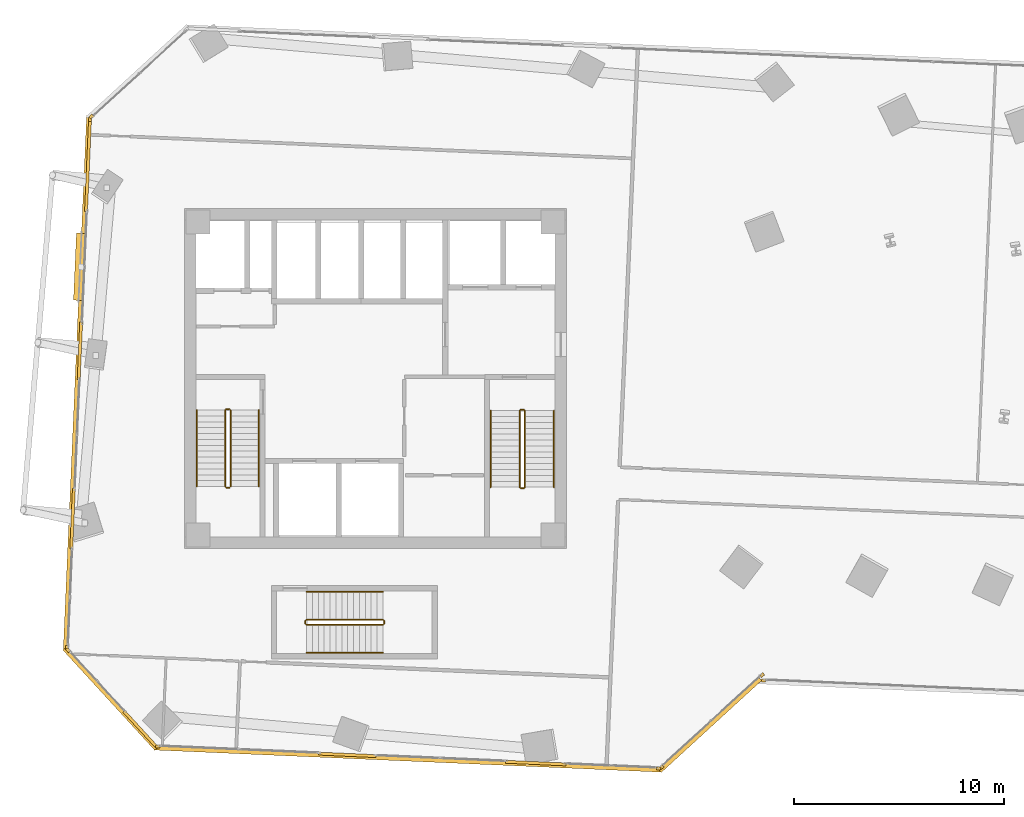
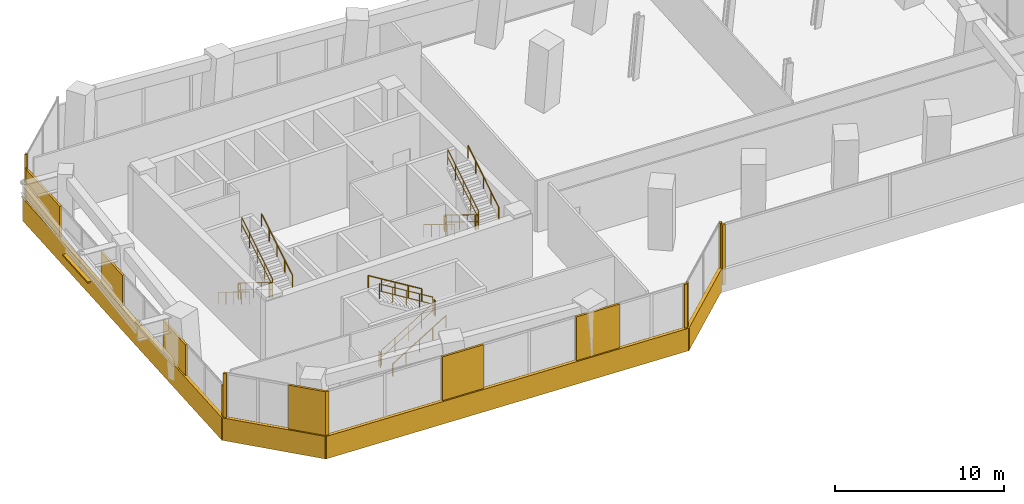
# One storey, part 24 of 26: 19 coverings, 18 railings, 1 shading device.
"""IFC4 building model written with IfcOpenShell, lengths in metres."""

from ifc_helpers import new_model, si_unit, direction, frame, origin, origin_2d, place, context, subcontext, project, spatial, rectangle, circle, extrude, source, transform, mapped, material, layer, layer_set, type_object, element, save


model = new_model("IFC4")

# Units and contexts
model_context = context("Model", 3, precision=1e-05, world=origin(), true_north=direction((0.0, 1.0)))
body_context = subcontext(model_context, "Body", "Model", "MODEL_VIEW")
ifc_project = project(units=[si_unit("LENGTHUNIT", "METRE"), si_unit("AREAUNIT", "SQUARE_METRE"), si_unit("VOLUMEUNIT", "CUBIC_METRE"), si_unit("PLANEANGLEUNIT", "RADIAN"), si_unit("MASSUNIT", "GRAM", prefix="KILO")], contexts=[model_context])

# Site, building, storey
site_placement = place(None, origin())
site = spatial("IfcSite", under=ifc_project, at=site_placement, CompositionType="ELEMENT")
building_placement = place(site_placement, origin())
building = spatial("IfcBuilding", under=site, at=building_placement, Name="Torre Montelarca", CompositionType="ELEMENT")
storey_placement = place(building_placement, frame((0.0, 0.0, 42.39990234375)))
storey = spatial("IfcBuildingStorey", under=building, at=storey_placement, Name="L09", CompositionType="ELEMENT", Elevation=42.39990234375)

# Railings
ifc_material_1 = material(Name="Powder-coated steel ASTM A500 Grade C", Category="steel")
railing_type_1 = type_object("IfcRailingType", Name="RL-GUARD-1100", PredefinedType="BALUSTRADE", material=ifc_material_1)
railing_1_placement = place(storey_placement, frame((10.85009765625, 30.5, 0.171630859375)))
element("IfcRailing", 1, at=railing_1_placement, inside=storey, type_object=railing_type_1, Name="L09 ST1 stair guard 1", PredefinedType="BALUSTRADE", context=body_context, shape_type="SweptSolid", body=[
    extrude(circle(Radius=0.02392578125, at=origin_2d()), frame((0.0, 0.0, 1.076171875), z_axis=(0.0, -0.852850264322, 0.5221555579), x_axis=(1.0, 0.0, 0.0)), (0.0, 0.0, 1.0), 4.267822265625),
    extrude(circle(Radius=0.02099609375, at=origin_2d()), frame((0.0, 0.0, 0.572021484375), z_axis=(0.0, -0.852850264322, 0.5221555579), x_axis=(1.0, 0.0, 0.0)), (0.0, 0.0, 1.0), 4.267822265625),
    extrude(circle(Radius=0.02099609375, at=origin_2d()), origin(), (0.0, 0.0, 1.0), 1.052001953125),
    extrude(circle(Radius=0.02099609375, at=origin_2d()), frame((0.0, -0.909912109375, 0.55712890625)), (0.0, 0.0, 1.0), 1.052001953125),
    extrude(circle(Radius=0.02099609375, at=origin_2d()), frame((0.0, -1.81982421875, 1.1142578125)), (0.0, 0.0, 1.0), 1.052001953125),
    extrude(circle(Radius=0.02099609375, at=origin_2d()), frame((0.0, -2.72998046875, 1.67138671875)), (0.0, 0.0, 1.0), 1.052001953125),
    extrude(circle(Radius=0.02099609375, at=origin_2d()), frame((0.0, -3.639892578125, 2.228515625)), (0.0, 0.0, 1.0), 1.052001953125),
])
railing_2_placement = place(storey_placement, frame((10.89990234375, 26.81005859375, 2.400146484375)))
element("IfcRailing", 2, at=railing_2_placement, inside=storey, type_object=railing_type_1, Name="L09 ST1 stair guard 2", PredefinedType="BALUSTRADE", context=body_context, shape_type="SweptSolid", body=[
    extrude(circle(Radius=0.02392578125, at=origin_2d()), frame((0.0, 0.0, 1.076171875), z_axis=(1.0, 0.0, 0.0), x_axis=(0.0, 1.0, 0.0)), (0.0, 0.0, 1.0), 0.150146484375),
    extrude(circle(Radius=0.02099609375, at=origin_2d()), frame((0.0, 0.0, 0.572021484375), z_axis=(1.0, 0.0, 0.0), x_axis=(0.0, 1.0, 0.0)), (0.0, 0.0, 1.0), 0.150146484375),
    extrude(circle(Radius=0.02099609375, at=origin_2d()), origin(), (0.0, 0.0, 1.0), 1.052001953125),
    extrude(circle(Radius=0.02099609375, at=origin_2d()), frame((0.150146484375, 0.0, 0.0)), (0.0, 0.0, 1.0), 1.052001953125),
])
railing_3_placement = place(storey_placement, frame((11.10009765625, 26.860107421875, 2.571533203125)))
element("IfcRailing", 3, at=railing_3_placement, inside=storey, type_object=railing_type_1, Name="L09 ST1 stair guard 3", PredefinedType="BALUSTRADE", context=body_context, shape_type="SweptSolid", body=[
    extrude(circle(Radius=0.02392578125, at=origin_2d()), frame((0.0, 0.0, 1.076171875), z_axis=(0.0, 0.852850264322, 0.5221555579), x_axis=(-1.0, 0.0, 0.0)), (0.0, 0.0, 1.0), 4.267822265625),
    extrude(circle(Radius=0.02099609375, at=origin_2d()), frame((0.0, 0.0, 0.572021484375), z_axis=(0.0, 0.852850264322, 0.5221555579), x_axis=(-1.0, 0.0, 0.0)), (0.0, 0.0, 1.0), 4.267822265625),
    extrude(circle(Radius=0.02099609375, at=origin_2d()), origin(), (0.0, 0.0, 1.0), 1.052001953125),
    extrude(circle(Radius=0.02099609375, at=origin_2d()), frame((0.0, 0.909912109375, 0.55712890625)), (0.0, 0.0, 1.0), 1.052001953125),
    extrude(circle(Radius=0.02099609375, at=origin_2d()), frame((0.0, 1.81982421875, 1.1142578125)), (0.0, 0.0, 1.0), 1.052001953125),
    extrude(circle(Radius=0.02099609375, at=origin_2d()), frame((0.0, 2.72998046875, 1.67138671875)), (0.0, 0.0, 1.0), 1.052001953125),
    extrude(circle(Radius=0.02099609375, at=origin_2d()), frame((0.0, 3.639892578125, 2.228515625)), (0.0, 0.0, 1.0), 1.052001953125),
])
railing_4_placement = place(storey_placement, frame((10.89990234375, 30.550048828125, 0.0)))
element("IfcRailing", 4, at=railing_4_placement, inside=storey, type_object=railing_type_1, Name="L09 ST1 stair guard 4", PredefinedType="BALUSTRADE", context=body_context, shape_type="SweptSolid", body=[
    extrude(circle(Radius=0.02392578125, at=origin_2d()), frame((0.0, 0.0, 1.076171875), z_axis=(1.0, 0.0, 0.0), x_axis=(0.0, 1.0, 0.0)), (0.0, 0.0, 1.0), 0.150146484375),
    extrude(circle(Radius=0.02099609375, at=origin_2d()), frame((0.0, 0.0, 0.572021484375), z_axis=(1.0, 0.0, 0.0), x_axis=(0.0, 1.0, 0.0)), (0.0, 0.0, 1.0), 0.150146484375),
    extrude(circle(Radius=0.02099609375, at=origin_2d()), origin(), (0.0, 0.0, 1.0), 1.052001953125),
    extrude(circle(Radius=0.02099609375, at=origin_2d()), frame((0.150146484375, 0.0, 0.0)), (0.0, 0.0, 1.0), 1.052001953125),
])
railing_5_placement = place(storey_placement, frame((24.8701171875, 30.469970703125, 0.171630859375)))
element("IfcRailing", 5, at=railing_5_placement, inside=storey, type_object=railing_type_1, Name="L09 ST2 stair guard 1", PredefinedType="BALUSTRADE", context=body_context, shape_type="SweptSolid", body=[
    extrude(circle(Radius=0.02392578125, at=origin_2d()), frame((0.0, 0.0, 1.076171875), z_axis=(0.0, -0.852850264322, 0.5221555579), x_axis=(1.0, 0.0, 0.0)), (0.0, 0.0, 1.0), 4.267822265625),
    extrude(circle(Radius=0.02099609375, at=origin_2d()), frame((0.0, 0.0, 0.572021484375), z_axis=(0.0, -0.852850264322, 0.5221555579), x_axis=(1.0, 0.0, 0.0)), (0.0, 0.0, 1.0), 4.267822265625),
    extrude(circle(Radius=0.02099609375, at=origin_2d()), origin(), (0.0, 0.0, 1.0), 1.052001953125),
    extrude(circle(Radius=0.02099609375, at=origin_2d()), frame((0.0, -0.909912109375, 0.55712890625)), (0.0, 0.0, 1.0), 1.052001953125),
    extrude(circle(Radius=0.02099609375, at=origin_2d()), frame((0.0, -1.81982421875, 1.1142578125)), (0.0, 0.0, 1.0), 1.052001953125),
    extrude(circle(Radius=0.02099609375, at=origin_2d()), frame((0.0, -2.72998046875, 1.67138671875)), (0.0, 0.0, 1.0), 1.052001953125),
    extrude(circle(Radius=0.02099609375, at=origin_2d()), frame((0.0, -3.639892578125, 2.228515625)), (0.0, 0.0, 1.0), 1.052001953125),
])
railing_6_placement = place(storey_placement, frame((24.919921875, 26.780029296875, 2.400146484375)))
element("IfcRailing", 6, at=railing_6_placement, inside=storey, type_object=railing_type_1, Name="L09 ST2 stair guard 2", PredefinedType="BALUSTRADE", context=body_context, shape_type="SweptSolid", body=[
    extrude(circle(Radius=0.02392578125, at=origin_2d()), frame((0.0, 0.0, 1.076171875), z_axis=(1.0, 0.0, 0.0), x_axis=(0.0, 1.0, 0.0)), (0.0, 0.0, 1.0), 0.150146484375),
    extrude(circle(Radius=0.02099609375, at=origin_2d()), frame((0.0, 0.0, 0.572021484375), z_axis=(1.0, 0.0, 0.0), x_axis=(0.0, 1.0, 0.0)), (0.0, 0.0, 1.0), 0.150146484375),
    extrude(circle(Radius=0.02099609375, at=origin_2d()), origin(), (0.0, 0.0, 1.0), 1.052001953125),
    extrude(circle(Radius=0.02099609375, at=origin_2d()), frame((0.150146484375, 0.0, 0.0)), (0.0, 0.0, 1.0), 1.052001953125),
])
railing_7_placement = place(storey_placement, frame((25.1201171875, 26.830078125, 2.571533203125)))
element("IfcRailing", 7, at=railing_7_placement, inside=storey, type_object=railing_type_1, Name="L09 ST2 stair guard 3", PredefinedType="BALUSTRADE", context=body_context, shape_type="SweptSolid", body=[
    extrude(circle(Radius=0.02392578125, at=origin_2d()), frame((0.0, 0.0, 1.076171875), z_axis=(0.0, 0.852850264322, 0.5221555579), x_axis=(-1.0, 0.0, 0.0)), (0.0, 0.0, 1.0), 4.267822265625),
    extrude(circle(Radius=0.02099609375, at=origin_2d()), frame((0.0, 0.0, 0.572021484375), z_axis=(0.0, 0.852850264322, 0.5221555579), x_axis=(-1.0, 0.0, 0.0)), (0.0, 0.0, 1.0), 4.267822265625),
    extrude(circle(Radius=0.02099609375, at=origin_2d()), origin(), (0.0, 0.0, 1.0), 1.052001953125),
    extrude(circle(Radius=0.02099609375, at=origin_2d()), frame((0.0, 0.909912109375, 0.55712890625)), (0.0, 0.0, 1.0), 1.052001953125),
    extrude(circle(Radius=0.02099609375, at=origin_2d()), frame((0.0, 1.81982421875, 1.1142578125)), (0.0, 0.0, 1.0), 1.052001953125),
    extrude(circle(Radius=0.02099609375, at=origin_2d()), frame((0.0, 2.72998046875, 1.67138671875)), (0.0, 0.0, 1.0), 1.052001953125),
    extrude(circle(Radius=0.02099609375, at=origin_2d()), frame((0.0, 3.639892578125, 2.228515625)), (0.0, 0.0, 1.0), 1.052001953125),
])
railing_8_placement = place(storey_placement, frame((24.919921875, 30.52001953125, 0.0)))
element("IfcRailing", 8, at=railing_8_placement, inside=storey, type_object=railing_type_1, Name="L09 ST2 stair guard 4", PredefinedType="BALUSTRADE", context=body_context, shape_type="SweptSolid", body=[
    extrude(circle(Radius=0.02392578125, at=origin_2d()), frame((0.0, 0.0, 1.076171875), z_axis=(1.0, 0.0, 0.0), x_axis=(0.0, 1.0, 0.0)), (0.0, 0.0, 1.0), 0.150146484375),
    extrude(circle(Radius=0.02099609375, at=origin_2d()), frame((0.0, 0.0, 0.572021484375), z_axis=(1.0, 0.0, 0.0), x_axis=(0.0, 1.0, 0.0)), (0.0, 0.0, 1.0), 0.150146484375),
    extrude(circle(Radius=0.02099609375, at=origin_2d()), origin(), (0.0, 0.0, 1.0), 1.052001953125),
    extrude(circle(Radius=0.02099609375, at=origin_2d()), frame((0.150146484375, 0.0, 0.0)), (0.0, 0.0, 1.0), 1.052001953125),
])
railing_9_placement = place(storey_placement, frame((14.719970703125, 20.27001953125, 0.171630859375)))
element("IfcRailing", 9, at=railing_9_placement, inside=storey, type_object=railing_type_1, Name="L09 ST3 stair guard 1", PredefinedType="BALUSTRADE", context=body_context, shape_type="SweptSolid", body=[
    extrude(circle(Radius=0.02392578125, at=origin_2d()), frame((0.0, 0.0, 1.076171875), z_axis=(0.852865859571, 0.0, 0.52213008492), x_axis=(0.0, 1.0, 0.0)), (0.0, 0.0, 1.0), 4.26806640625),
    extrude(circle(Radius=0.02099609375, at=origin_2d()), frame((0.0, 0.0, 0.572021484375), z_axis=(0.852865859571, 0.0, 0.52213008492), x_axis=(0.0, 1.0, 0.0)), (0.0, 0.0, 1.0), 4.26806640625),
    extrude(circle(Radius=0.02099609375, at=origin_2d()), origin(), (0.0, 0.0, 1.0), 1.052001953125),
    extrude(circle(Radius=0.02099609375, at=origin_2d()), frame((0.91015625, 0.0, 0.55712890625)), (0.0, 0.0, 1.0), 1.052001953125),
    extrude(circle(Radius=0.02099609375, at=origin_2d()), frame((1.820068359375, 0.0, 1.1142578125)), (0.0, 0.0, 1.0), 1.052001953125),
    extrude(circle(Radius=0.02099609375, at=origin_2d()), frame((2.72998046875, 0.0, 1.67138671875)), (0.0, 0.0, 1.0), 1.052001953125),
    extrude(circle(Radius=0.02099609375, at=origin_2d()), frame((3.64013671875, 0.0, 2.228515625)), (0.0, 0.0, 1.0), 1.052001953125),
])
railing_10_placement = place(storey_placement, frame((18.409912109375, 20.320068359375, 2.400146484375)))
element("IfcRailing", 10, at=railing_10_placement, inside=storey, type_object=railing_type_1, Name="L09 ST3 stair guard 2", PredefinedType="BALUSTRADE", context=body_context, shape_type="SweptSolid", body=[
    extrude(circle(Radius=0.02392578125, at=origin_2d()), frame((0.0, 0.0, 1.076171875), z_axis=(0.0, 1.0, 0.0), x_axis=(-1.0, 0.0, 0.0)), (0.0, 0.0, 1.0), 0.14990234375),
    extrude(circle(Radius=0.02099609375, at=origin_2d()), frame((0.0, 0.0, 0.572021484375), z_axis=(0.0, 1.0, 0.0), x_axis=(-1.0, 0.0, 0.0)), (0.0, 0.0, 1.0), 0.14990234375),
    extrude(circle(Radius=0.02099609375, at=origin_2d()), origin(), (0.0, 0.0, 1.0), 1.052001953125),
    extrude(circle(Radius=0.02099609375, at=origin_2d()), frame((0.0, 0.14990234375, 0.0)), (0.0, 0.0, 1.0), 1.052001953125),
])
railing_11_placement = place(storey_placement, frame((18.360107421875, 20.52001953125, 2.571533203125)))
element("IfcRailing", 11, at=railing_11_placement, inside=storey, type_object=railing_type_1, Name="L09 ST3 stair guard 3", PredefinedType="BALUSTRADE", context=body_context, shape_type="SweptSolid", body=[
    extrude(circle(Radius=0.02392578125, at=origin_2d()), frame((0.0, 0.0, 1.076171875), z_axis=(-0.852865859571, 0.0, 0.52213008492), x_axis=(0.0, -1.0, 0.0)), (0.0, 0.0, 1.0), 4.26806640625),
    extrude(circle(Radius=0.02099609375, at=origin_2d()), frame((0.0, 0.0, 0.572021484375), z_axis=(-0.852865859571, 0.0, 0.52213008492), x_axis=(0.0, -1.0, 0.0)), (0.0, 0.0, 1.0), 4.26806640625),
    extrude(circle(Radius=0.02099609375, at=origin_2d()), origin(), (0.0, 0.0, 1.0), 1.052001953125),
    extrude(circle(Radius=0.02099609375, at=origin_2d()), frame((-0.91015625, 0.0, 0.55712890625)), (0.0, 0.0, 1.0), 1.052001953125),
    extrude(circle(Radius=0.02099609375, at=origin_2d()), frame((-1.820068359375, 0.0, 1.1142578125)), (0.0, 0.0, 1.0), 1.052001953125),
    extrude(circle(Radius=0.02099609375, at=origin_2d()), frame((-2.72998046875, 0.0, 1.67138671875)), (0.0, 0.0, 1.0), 1.052001953125),
    extrude(circle(Radius=0.02099609375, at=origin_2d()), frame((-3.64013671875, 0.0, 2.228515625)), (0.0, 0.0, 1.0), 1.052001953125),
])
railing_12_placement = place(storey_placement, frame((14.669921875, 20.320068359375, 0.0)))
element("IfcRailing", 12, at=railing_12_placement, inside=storey, type_object=railing_type_1, Name="L09 ST3 stair guard 4", PredefinedType="BALUSTRADE", context=body_context, shape_type="SweptSolid", body=[
    extrude(circle(Radius=0.02392578125, at=origin_2d()), frame((0.0, 0.0, 1.076171875), z_axis=(0.0, 1.0, 0.0), x_axis=(-1.0, 0.0, 0.0)), (0.0, 0.0, 1.0), 0.14990234375),
    extrude(circle(Radius=0.02099609375, at=origin_2d()), frame((0.0, 0.0, 0.572021484375), z_axis=(0.0, 1.0, 0.0), x_axis=(-1.0, 0.0, 0.0)), (0.0, 0.0, 1.0), 0.14990234375),
    extrude(circle(Radius=0.02099609375, at=origin_2d()), origin(), (0.0, 0.0, 1.0), 1.052001953125),
    extrude(circle(Radius=0.02099609375, at=origin_2d()), frame((0.0, 0.14990234375, 0.0)), (0.0, 0.0, 1.0), 1.052001953125),
])
ifc_material_2 = material(Name="Brushed stainless steel AISI 316", Category="steel")
railing_type_2 = type_object("IfcRailingType", Name="RL-HANDRAIL-900", PredefinedType="HANDRAIL", material=ifc_material_2)
railing_13_placement = place(storey_placement, frame((9.5, 30.5, 0.171630859375)))
element("IfcRailing", 13, at=railing_13_placement, inside=storey, type_object=railing_type_2, Name="L09 ST1 stair handrail 1", PredefinedType="HANDRAIL", context=body_context, shape_type="SweptSolid", body=[
    extrude(circle(Radius=0.02392578125, at=origin_2d()), frame((0.0, 0.0, 0.8759765625), z_axis=(0.0, -0.852850264322, 0.5221555579), x_axis=(1.0, 0.0, 0.0)), (0.0, 0.0, 1.0), 4.267822265625),
    extrude(circle(Radius=0.02099609375, at=origin_2d()), origin(), (0.0, 0.0, 1.0), 0.851806640625),
    extrude(circle(Radius=0.02099609375, at=origin_2d()), frame((0.0, -0.909912109375, 0.55712890625)), (0.0, 0.0, 1.0), 0.851806640625),
    extrude(circle(Radius=0.02099609375, at=origin_2d()), frame((0.0, -1.81982421875, 1.1142578125)), (0.0, 0.0, 1.0), 0.851806640625),
    extrude(circle(Radius=0.02099609375, at=origin_2d()), frame((0.0, -2.72998046875, 1.67138671875)), (0.0, 0.0, 1.0), 0.851806640625),
    extrude(circle(Radius=0.02099609375, at=origin_2d()), frame((0.0, -3.639892578125, 2.228515625)), (0.0, 0.0, 1.0), 0.851806640625),
])
railing_14_placement = place(storey_placement, frame((12.449951171875, 26.860107421875, 2.571533203125)))
element("IfcRailing", 14, at=railing_14_placement, inside=storey, type_object=railing_type_2, Name="L09 ST1 stair handrail 2", PredefinedType="HANDRAIL", context=body_context, shape_type="SweptSolid", body=[
    extrude(circle(Radius=0.02392578125, at=origin_2d()), frame((0.0, 0.0, 0.8759765625), z_axis=(0.0, 0.852850264322, 0.5221555579), x_axis=(-1.0, 0.0, 0.0)), (0.0, 0.0, 1.0), 4.267822265625),
    extrude(circle(Radius=0.02099609375, at=origin_2d()), origin(), (0.0, 0.0, 1.0), 0.851806640625),
    extrude(circle(Radius=0.02099609375, at=origin_2d()), frame((0.0, 0.909912109375, 0.55712890625)), (0.0, 0.0, 1.0), 0.851806640625),
    extrude(circle(Radius=0.02099609375, at=origin_2d()), frame((0.0, 1.81982421875, 1.1142578125)), (0.0, 0.0, 1.0), 0.851806640625),
    extrude(circle(Radius=0.02099609375, at=origin_2d()), frame((0.0, 2.72998046875, 1.67138671875)), (0.0, 0.0, 1.0), 0.851806640625),
    extrude(circle(Radius=0.02099609375, at=origin_2d()), frame((0.0, 3.639892578125, 2.228515625)), (0.0, 0.0, 1.0), 0.851806640625),
])
railing_15_placement = place(storey_placement, frame((23.489990234375, 30.469970703125, 0.171630859375)))
element("IfcRailing", 15, at=railing_15_placement, inside=storey, type_object=railing_type_2, Name="L09 ST2 stair handrail 1", PredefinedType="HANDRAIL", context=body_context, shape_type="SweptSolid", body=[
    extrude(circle(Radius=0.02392578125, at=origin_2d()), frame((0.0, 0.0, 0.8759765625), z_axis=(0.0, -0.852850264322, 0.5221555579), x_axis=(1.0, 0.0, 0.0)), (0.0, 0.0, 1.0), 4.267822265625),
    extrude(circle(Radius=0.02099609375, at=origin_2d()), origin(), (0.0, 0.0, 1.0), 0.851806640625),
    extrude(circle(Radius=0.02099609375, at=origin_2d()), frame((0.0, -0.909912109375, 0.55712890625)), (0.0, 0.0, 1.0), 0.851806640625),
    extrude(circle(Radius=0.02099609375, at=origin_2d()), frame((0.0, -1.81982421875, 1.1142578125)), (0.0, 0.0, 1.0), 0.851806640625),
    extrude(circle(Radius=0.02099609375, at=origin_2d()), frame((0.0, -2.72998046875, 1.67138671875)), (0.0, 0.0, 1.0), 0.851806640625),
    extrude(circle(Radius=0.02099609375, at=origin_2d()), frame((0.0, -3.639892578125, 2.228515625)), (0.0, 0.0, 1.0), 0.851806640625),
])
railing_16_placement = place(storey_placement, frame((26.5, 26.830078125, 2.571533203125)))
element("IfcRailing", 16, at=railing_16_placement, inside=storey, type_object=railing_type_2, Name="L09 ST2 stair handrail 2", PredefinedType="HANDRAIL", context=body_context, shape_type="SweptSolid", body=[
    extrude(circle(Radius=0.02392578125, at=origin_2d()), frame((0.0, 0.0, 0.8759765625), z_axis=(0.0, 0.852850264322, 0.5221555579), x_axis=(-1.0, 0.0, 0.0)), (0.0, 0.0, 1.0), 4.267822265625),
    extrude(circle(Radius=0.02099609375, at=origin_2d()), origin(), (0.0, 0.0, 1.0), 0.851806640625),
    extrude(circle(Radius=0.02099609375, at=origin_2d()), frame((0.0, 0.909912109375, 0.55712890625)), (0.0, 0.0, 1.0), 0.851806640625),
    extrude(circle(Radius=0.02099609375, at=origin_2d()), frame((0.0, 1.81982421875, 1.1142578125)), (0.0, 0.0, 1.0), 0.851806640625),
    extrude(circle(Radius=0.02099609375, at=origin_2d()), frame((0.0, 2.72998046875, 1.67138671875)), (0.0, 0.0, 1.0), 0.851806640625),
    extrude(circle(Radius=0.02099609375, at=origin_2d()), frame((0.0, 3.639892578125, 2.228515625)), (0.0, 0.0, 1.0), 0.851806640625),
])
railing_17_placement = place(storey_placement, frame((14.719970703125, 18.949951171875, 0.171630859375)))
element("IfcRailing", 17, at=railing_17_placement, inside=storey, type_object=railing_type_2, Name="L09 ST3 stair handrail 1", PredefinedType="HANDRAIL", context=body_context, shape_type="SweptSolid", body=[
    extrude(circle(Radius=0.02392578125, at=origin_2d()), frame((0.0, 0.0, 0.8759765625), z_axis=(0.852865859571, 0.0, 0.52213008492), x_axis=(0.0, 1.0, 0.0)), (0.0, 0.0, 1.0), 4.26806640625),
    extrude(circle(Radius=0.02099609375, at=origin_2d()), origin(), (0.0, 0.0, 1.0), 0.851806640625),
    extrude(circle(Radius=0.02099609375, at=origin_2d()), frame((0.91015625, 0.0, 0.55712890625)), (0.0, 0.0, 1.0), 0.851806640625),
    extrude(circle(Radius=0.02099609375, at=origin_2d()), frame((1.820068359375, 0.0, 1.1142578125)), (0.0, 0.0, 1.0), 0.851806640625),
    extrude(circle(Radius=0.02099609375, at=origin_2d()), frame((2.72998046875, 0.0, 1.67138671875)), (0.0, 0.0, 1.0), 0.851806640625),
    extrude(circle(Radius=0.02099609375, at=origin_2d()), frame((3.64013671875, 0.0, 2.228515625)), (0.0, 0.0, 1.0), 0.851806640625),
])
railing_18_placement = place(storey_placement, frame((18.360107421875, 21.840087890625, 2.571533203125)))
element("IfcRailing", 18, at=railing_18_placement, inside=storey, type_object=railing_type_2, Name="L09 ST3 stair handrail 2", PredefinedType="HANDRAIL", context=body_context, shape_type="SweptSolid", body=[
    extrude(circle(Radius=0.02392578125, at=origin_2d()), frame((0.0, 0.0, 0.8759765625), z_axis=(-0.852865859571, 0.0, 0.52213008492), x_axis=(0.0, -1.0, 0.0)), (0.0, 0.0, 1.0), 4.26806640625),
    extrude(circle(Radius=0.02099609375, at=origin_2d()), origin(), (0.0, 0.0, 1.0), 0.851806640625),
    extrude(circle(Radius=0.02099609375, at=origin_2d()), frame((-0.91015625, 0.0, 0.55712890625)), (0.0, 0.0, 1.0), 0.851806640625),
    extrude(circle(Radius=0.02099609375, at=origin_2d()), frame((-1.820068359375, 0.0, 1.1142578125)), (0.0, 0.0, 1.0), 0.851806640625),
    extrude(circle(Radius=0.02099609375, at=origin_2d()), frame((-2.72998046875, 0.0, 1.67138671875)), (0.0, 0.0, 1.0), 0.851806640625),
    extrude(circle(Radius=0.02099609375, at=origin_2d()), frame((-3.64013671875, 0.0, 2.228515625)), (0.0, 0.0, 1.0), 0.851806640625),
])

# Coverings
ifc_material_3 = material(Name="Bush-hammered warm white precast concrete C45/55", Category="concrete")
ifc_layer_1 = layer(ifc_material_3, 0.139892578125, Name="Bush-hammered warm white precast concrete C45/55", Category="concrete")
ifc_layer_set_1 = layer_set([ifc_layer_1], Name="Bush-hammered warm white precast concrete C45/55")
covering_type = type_object("IfcCoveringType", Name="COV-TRAY-CLAD", PredefinedType="CLADDING", material=ifc_layer_set_1)
shared_shape_1 = source(origin(), body_context, "Body", "SweptSolid", [
    extrude(rectangle(XDim=0.199951171875, YDim=0.139892578125, at=origin_2d()), origin(), (0.0, 0.0, 1.0), 4.320068359375),
])
for number, where, z_axis, x_axis, name in (
    (19, (7.638427734375, 14.47802734375, 0.0), (0.0, 0.0, 1.0), (0.999048221582, -0.043619387365, 0.0), "L09 Architectural Column Pier Cladding E01-1"),
    (20, (31.48388671875, 13.436767578125, 0.0), (0.0, 0.0, 1.0), (0.999048221582, -0.043619387365, 0.0), "L09 Architectural Column Pier Cladding E01-4"),
    (21, (31.620361328125, 13.486572265625, 0.0), (0.0, 0.0, 1.0), (0.737280874182, 0.675586347231, 0.0), "L09 Architectural Column Pier Cladding E02-1"),
    (22, (36.412841796875, 17.8779296875, 0.0), (0.0, 0.0, 1.0), (0.737280874182, 0.675586347231, 0.0), "L09 Architectural Column Pier Cladding E02-2"),
    (23, (36.479248046875, 17.623046875, 0.0), (0.0, 0.0, 1.0), (0.99904814545, -0.043621131033, 0.0), "L09 Architectural Column Pier Cladding E04-1"),
    (24, (4.473388671875, 44.472900390625, 0.0), (0.0, 0.0, 1.0), (-0.737272620283, -0.675595354766, 0.0), "L09 Architectural Column Pier Cladding E09-2"),
    (25, (3.364013671875, 19.060546875, 0.0), (0.0, 0.0, 1.0), (0.675586347231, -0.737280874182, 0.0), "L09 Architectural Column Pier Cladding E11-1"),
):
    element("IfcCovering", number, at=place(storey_placement, frame(where, z_axis=z_axis, x_axis=x_axis)), inside=storey, type_object=covering_type, Name=name, PredefinedType="CLADDING", context=body_context, shape_type="MappedRepresentation", body=[
        mapped(shared_shape_1, transform((0.0, 0.0, 0.0), scale=1.0)),
    ])
shared_shape_2 = source(origin(), body_context, "Body", "SweptSolid", [
    extrude(rectangle(XDim=24.219970703125, YDim=0.219970703125, at=origin_2d()), origin(), (0.0, 0.0, 1.0), 1.6201171875),
])
covering_1_placement = place(storey_placement, frame((19.55859375, 13.8974609375, -0.449951171875), z_axis=(0.0, 0.0, 1.0), x_axis=(0.999048297711, -0.043617643697, 0.0)))
element("IfcCovering", 26, at=covering_1_placement, inside=storey, type_object=covering_type, Name="L09 Architectural White Spandrel Tray Band TRYBOT-01", PredefinedType="CLADDING", context=body_context, shape_type="MappedRepresentation", body=[
    mapped(shared_shape_2, transform((0.0, 0.0, 0.0), scale=1.0)),
])
shared_shape_3 = source(origin(), body_context, "Body", "SweptSolid", [
    extrude(rectangle(XDim=6.48388671875, YDim=0.219970703125, at=origin_2d()), origin(), (0.0, 0.0, 1.0), 1.6201171875),
])
for number, where, z_axis, x_axis, name in (
    (27, (33.92138671875, 15.513671875, -0.449951171875), (0.0, 0.0, 1.0), (0.73727969506, 0.675587634028, 0.0), "L09 Architectural White Spandrel Tray Band TRYBOT-02"),
    (28, (5.39111328125, 16.759521484375, -0.449951171875), (0.0, 0.0, 1.0), (0.675587634028, -0.73727969506, 0.0), "L09 Architectural White Spandrel Tray Band TRYBOT-11"),
):
    element("IfcCovering", number, at=place(storey_placement, frame(where, z_axis=z_axis, x_axis=x_axis)), inside=storey, type_object=covering_type, Name=name, PredefinedType="CLADDING", context=body_context, shape_type="MappedRepresentation", body=[
        mapped(shared_shape_3, transform((0.0, 0.0, 0.0), scale=1.0)),
    ])
shared_shape_4 = source(origin(), body_context, "Body", "SweptSolid", [
    extrude(rectangle(XDim=25.52001953125, YDim=0.219970703125, at=origin_2d()), origin(), (0.0, 0.0, 1.0), 1.6201171875),
])
covering_2_placement = place(storey_placement, frame((3.80322265625, 31.771728515625, -0.449951171875), z_axis=(0.0, 0.0, 1.0), x_axis=(-0.043617643697, -0.999048297711, 0.0)))
element("IfcCovering", 29, at=covering_2_placement, inside=storey, type_object=covering_type, Name="L09 Architectural White Spandrel Tray Band TRYBOT-10", PredefinedType="CLADDING", context=body_context, shape_type="MappedRepresentation", body=[
    mapped(shared_shape_4, transform((0.0, 0.0, 0.0), scale=1.0)),
])
shared_shape_5 = source(origin(), body_context, "Body", "SweptSolid", [
    extrude(rectangle(XDim=0.199951171875, YDim=0.139892578125, at=origin_2d()), origin(), (0.0, 0.0, 1.0), 3.375),
])
for number, where, z_axis, x_axis, name in (
    (30, (4.412109375, 44.34130859375, 0.0), (0.0, 0.0, 1.0), (-0.043619387365, -0.999048221582, 0.0), "L09 Architectural Column Pier Cladding E10-1"),
    (31, (3.314208984375, 19.197021484375, 0.0), (0.0, 0.0, 1.0), (-0.043619387365, -0.999048221582, 0.0), "L09 Architectural Column Pier Cladding E10-5"),
):
    element("IfcCovering", number, at=place(storey_placement, frame(where, z_axis=z_axis, x_axis=x_axis)), inside=storey, type_object=covering_type, Name=name, PredefinedType="CLADDING", context=body_context, shape_type="MappedRepresentation", body=[
        mapped(shared_shape_5, transform((0.0, 0.0, 0.0), scale=1.0)),
    ])
shared_shape_6 = source(origin(), body_context, "Body", "SweptSolid", [
    extrude(rectangle(XDim=2.732666015625, YDim=0.139892578125, at=origin_2d()), origin(), (0.0, 0.0, 1.0), 4.320068359375),
])
covering_3_placement = place(storey_placement, frame((16.6533203125, 14.08447265625, 0.0), z_axis=(0.0, 0.0, 1.0), x_axis=(0.999048221582, -0.043619387365, 0.0)))
element("IfcCovering", 32, at=covering_3_placement, inside=storey, type_object=covering_type, Name="L09 Architectural Column Pier Cladding E01-2", PredefinedType="CLADDING", context=body_context, shape_type="MappedRepresentation", body=[
    mapped(shared_shape_6, transform((0.0, 0.0, 0.0), scale=1.0)),
])
shared_shape_7 = source(origin(), body_context, "Body", "SweptSolid", [
    extrude(rectangle(XDim=2.888916015625, YDim=0.139892578125, at=origin_2d()), origin(), (0.0, 0.0, 1.0), 4.320068359375),
])
covering_4_placement = place(storey_placement, frame((25.639404296875, 13.69189453125, 0.0), z_axis=(0.0, 0.0, 1.0), x_axis=(0.999048221582, -0.043619387365, 0.0)))
element("IfcCovering", 33, at=covering_4_placement, inside=storey, type_object=covering_type, Name="L09 Architectural Column Pier Cladding E01-3", PredefinedType="CLADDING", context=body_context, shape_type="MappedRepresentation", body=[
    mapped(shared_shape_7, transform((0.0, 0.0, 0.0), scale=1.0)),
])
shared_shape_8 = source(origin(), body_context, "Body", "SweptSolid", [
    extrude(rectangle(XDim=4.3984375, YDim=0.139892578125, at=origin_2d()), origin(), (0.0, 0.0, 1.0), 3.375),
])
covering_5_placement = place(storey_placement, frame((4.316162109375, 42.14404296875, 0.0), z_axis=(0.0, 0.0, 1.0), x_axis=(-0.043619387365, -0.999048221582, 0.0)))
element("IfcCovering", 34, at=covering_5_placement, inside=storey, type_object=covering_type, Name="L09 Architectural Column Pier Cladding E10-2", PredefinedType="CLADDING", context=body_context, shape_type="MappedRepresentation", body=[
    mapped(shared_shape_8, transform((0.0, 0.0, 0.0), scale=1.0)),
])
shared_shape_9 = source(origin(), body_context, "Body", "SweptSolid", [
    extrude(rectangle(XDim=2.7275390625, YDim=0.139892578125, at=origin_2d()), origin(), (0.0, 0.0, 1.0), 3.375),
])
covering_6_placement = place(storey_placement, frame((3.930908203125, 33.31884765625, 0.0), z_axis=(0.0, 0.0, 1.0), x_axis=(-0.043619387365, -0.999048221582, 0.0)))
element("IfcCovering", 35, at=covering_6_placement, inside=storey, type_object=covering_type, Name="L09 Architectural Column Pier Cladding E10-3", PredefinedType="CLADDING", context=body_context, shape_type="MappedRepresentation", body=[
    mapped(shared_shape_9, transform((0.0, 0.0, 0.0), scale=1.0)),
])
shared_shape_10 = source(origin(), body_context, "Body", "SweptSolid", [
    extrude(rectangle(XDim=2.883056640625, YDim=0.139892578125, at=origin_2d()), origin(), (0.0, 0.0, 1.0), 3.375),
])
covering_7_placement = place(storey_placement, frame((3.58203125, 25.331298828125, 0.0), z_axis=(0.0, 0.0, 1.0), x_axis=(-0.043619387365, -0.999048221582, 0.0)))
element("IfcCovering", 36, at=covering_7_placement, inside=storey, type_object=covering_type, Name="L09 Architectural Column Pier Cladding E10-4", PredefinedType="CLADDING", context=body_context, shape_type="MappedRepresentation", body=[
    mapped(shared_shape_10, transform((0.0, 0.0, 0.0), scale=1.0)),
])
shared_shape_11 = source(origin(), body_context, "Body", "SweptSolid", [
    extrude(rectangle(XDim=2.295654296875, YDim=0.139892578125, at=origin_2d()), origin(), (0.0, 0.0, 1.0), 4.320068359375),
])
covering_8_placement = place(storey_placement, frame((6.799072265625, 15.311767578125, 0.0), z_axis=(0.0, 0.0, 1.0), x_axis=(0.675586347231, -0.737280874182, 0.0)))
element("IfcCovering", 37, at=covering_8_placement, inside=storey, type_object=covering_type, Name="L09 Architectural Column Pier Cladding E11-2", PredefinedType="CLADDING", context=body_context, shape_type="MappedRepresentation", body=[
    mapped(shared_shape_11, transform((0.0, 0.0, 0.0), scale=1.0)),
])

# Shading device
ifc_material_4 = material(Name="Anodised champagne bronze aluminium AA 6063-T6", Category="aluminium")
ifc_layer_2 = layer(ifc_material_4, 0.070068359375, Name="Anodised champagne bronze aluminium AA 6063-T6", Category="aluminium")
ifc_layer_set_2 = layer_set([ifc_layer_2], Name="Anodised champagne bronze aluminium AA 6063-T6")
shading_device_type = type_object("IfcShadingDeviceType", Name="SHD-SUNSHADE-1", PredefinedType="USERDEFINED", material=ifc_layer_set_2)
shared_shape_12 = source(origin(), body_context, "Body", "SweptSolid", [
    extrude(rectangle(XDim=3.199951171875, YDim=0.47998046875, at=origin_2d()), origin(), (0.0, 0.0, 1.0), 0.10009765625),
])
shading_device_placement = place(storey_placement, frame((3.935302734375, 37.321533203125, 0.570068359375), z_axis=(0.0, 0.0, 1.0), x_axis=(-0.043617643697, -0.999048297711, 0.0)))
element("IfcShadingDevice", 38, at=shading_device_placement, inside=storey, type_object=shading_device_type, Name="L09 Facade Solar Shading Device E10", ObjectType="SUNSHADE", PredefinedType="USERDEFINED", context=body_context, shape_type="MappedRepresentation", body=[
    mapped(shared_shape_12, transform((0.0, 0.0, 0.0), scale=1.0)),
])

save(model, "model.ifc")
